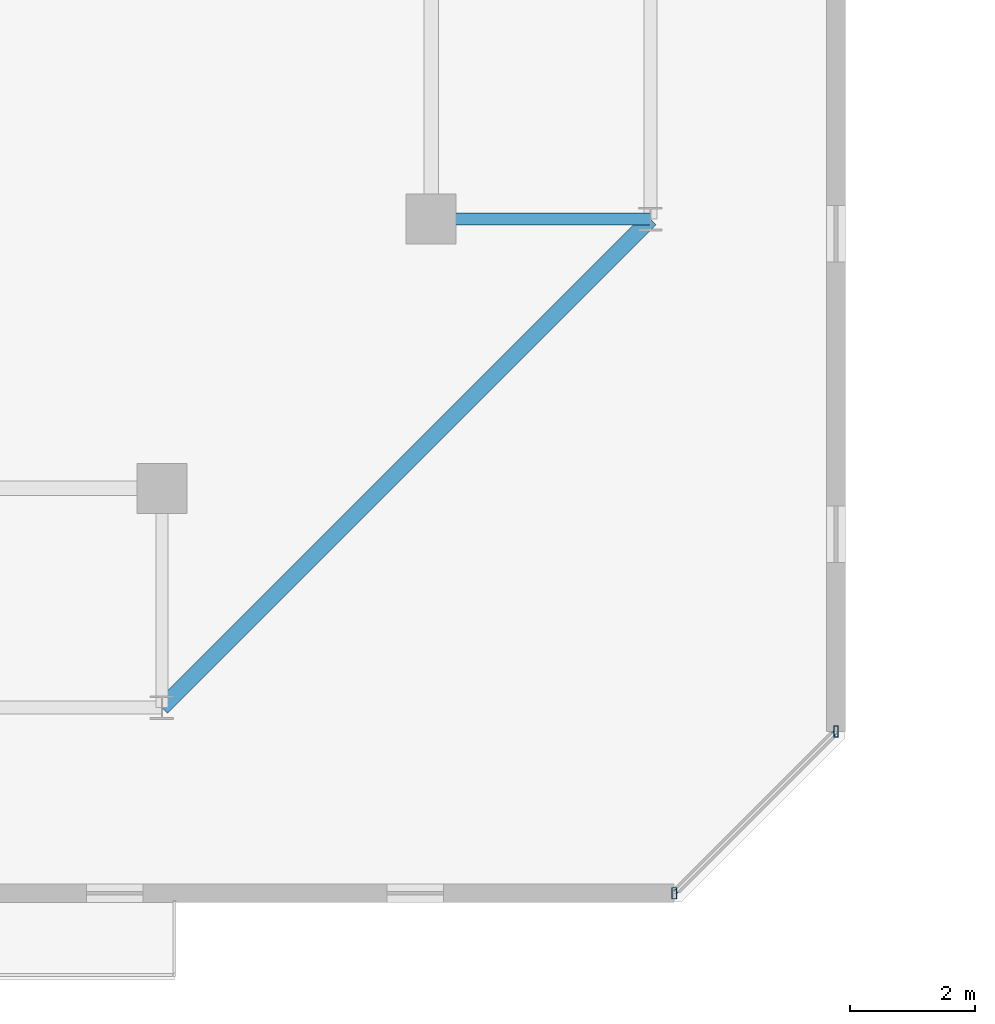
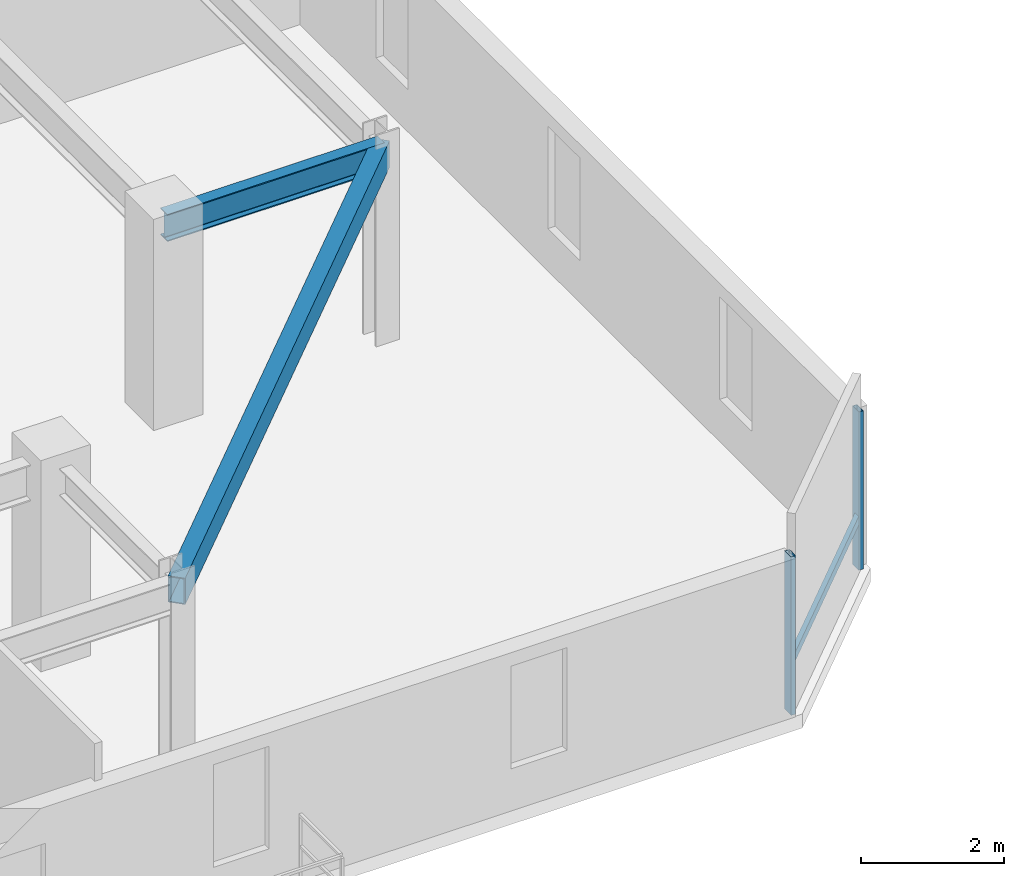
# One storey, part 7 of 35: 3 members, 2 beams, 1 element without a shape of its own.
"""IFC4 building model written with IfcOpenShell, lengths in metres."""

from ifc_helpers import new_model, si_unit, direction, frame, origin, origin_2d, place, context, subcontext, project, spatial, hollow_rectangle, i_section, extrude, material, material_profile, profile_set, type_object, element, aggregate, save


model = new_model("IFC4")

# Units and contexts
model_context = context("Model", 3, precision=1e-05, world=origin(), true_north=direction((0.0, 1.0)))
body_context = subcontext(model_context, "Body", "Model", "MODEL_VIEW")
ifc_project = project(units=[si_unit("LENGTHUNIT", "METRE"), si_unit("AREAUNIT", "SQUARE_METRE"), si_unit("VOLUMEUNIT", "CUBIC_METRE"), si_unit("PLANEANGLEUNIT", "RADIAN"), si_unit("MASSUNIT", "GRAM", prefix="KILO")], contexts=[model_context])

# Site, building, storey
site_placement = place(None, origin())
site = spatial("IfcSite", under=ifc_project, at=site_placement, CompositionType="ELEMENT")
building_placement = place(site_placement, origin())
building = spatial("IfcBuilding", under=site, at=building_placement, Name="Thornwick Lancets Civic Towers", CompositionType="ELEMENT")
storey_placement = place(building_placement, frame((0.0, 0.0, 272.699951171875)))
storey = spatial("IfcBuildingStorey", under=building, at=storey_placement, Name="L73", CompositionType="ELEMENT", Elevation=272.699951171875)

# Beams
ifc_material_1 = material(Name="Steel S355JR", Category="steel")
ifc_material_profile_1 = material_profile(ifc_material_1, i_section(OverallWidth=0.19189453125, OverallDepth=0.46337890625, WebThickness=0.010498046875, FlangeThickness=0.017578125, FilletRadius=0.01025390625, at=origin_2d()), Name="UKB 457x191x89")
ifc_profile_set_1 = profile_set([ifc_material_profile_1], Name="Steel S355JR")
beam_type_1 = type_object("IfcBeamType", Name="BM_JOIST_457_89", PredefinedType="JOIST", material=ifc_profile_set_1)
beam_1_placement = place(storey_placement, frame((42.800048828125, 14.0, 3.12841796875), z_axis=(1.0, 0.0, 0.0), x_axis=(0.0, 1.0, 0.0)))
element("IfcBeam", 1, at=beam_1_placement, inside=storey, type_object=beam_type_1, Name="BM-RAD-L73-A04", PredefinedType="JOIST", context=body_context, shape_type="SweptSolid", body=[
    extrude(i_section(OverallWidth=0.19189453125, OverallDepth=0.46337890625, WebThickness=0.010498046875, FlangeThickness=0.017578125, FilletRadius=0.01025390625, at=origin_2d()), origin(), (0.0, 0.0, 1.0), 3.5),
])
ifc_material_profile_2 = material_profile(ifc_material_1, hollow_rectangle(XDim=0.25, YDim=0.449951171875, WallThickness=0.01611328125, at=origin_2d()), Name="RHS 450x250x16")
ifc_profile_set_2 = profile_set([ifc_material_profile_2], Name="Steel S355JR")
beam_type_2 = type_object("IfcBeamType", Name="BM_RING_RHS450", PredefinedType="BEAM", material=ifc_profile_set_2)
beam_2_placement = place(storey_placement, frame((38.5, 6.199951171875, 3.135009765625), z_axis=(0.707106781187, 0.707106781187, 0.0), x_axis=(-0.707106781187, 0.707106781187, 0.0)))
element("IfcBeam", 2, at=beam_2_placement, inside=storey, type_object=beam_type_2, Name="BM-CHAMF-L73-A-C0", PredefinedType="BEAM", context=body_context, shape_type="SweptSolid", body=[
    extrude(hollow_rectangle(XDim=0.25, YDim=0.449951171875, WallThickness=0.01611328125, at=origin_2d()), origin(), (0.0, 0.0, 1.0), 11.031005859375),
])

# Curtain wall, members
ifc_material_2 = material(Name="High-zone chamfered-corner unitised glass curtain wall", Category="glass")
curtain_wall_type = type_object("IfcCurtainWallType", Name="CW_SYS_05", PredefinedType="NOTDEFINED", material=ifc_material_2)
curtain_wall_placement = place(storey_placement, origin())
curtain_wall = element("IfcCurtainWall", 3, at=curtain_wall_placement, inside=storey, type_object=curtain_wall_type, Name="L73 Curtain Wall CW-L73-A-E1", PredefinedType="NOTDEFINED")
ifc_material_3 = material(Name="Thermally broken bronze aluminium S355", Category="steel")
ifc_material_profile_3 = material_profile(ifc_material_3, hollow_rectangle(XDim=0.074951171875, YDim=0.179931640625, WallThickness=0.006103515625, at=origin_2d()), Name="RHS 180x75x6")
ifc_profile_set_3 = profile_set([ifc_material_profile_3], Name="Thermally broken bronze aluminium S355")
member_type_1 = type_object("IfcMemberType", Name="CW_MUL_180", PredefinedType="MULLION", material=ifc_profile_set_3)
member_1_placement = place(storey_placement, frame((46.681396484375, 3.2353515625, 0.0), z_axis=(0.0, 0.0, 1.0), x_axis=(1.0, 0.0, 0.0)))
member_1 = element("IfcMember", 4, at=member_1_placement, type_object=member_type_1, Name="CW-L73-A-E1 Mullion 0", PredefinedType="MULLION", context=body_context, shape_type="SweptSolid", body=[
    extrude(hollow_rectangle(XDim=0.074951171875, YDim=0.179931640625, WallThickness=0.006103515625, at=origin_2d()), origin(), (0.0, 0.0, 1.0), 2.699951171875),
])
member_2_placement = place(storey_placement, frame((49.2646484375, 5.818603515625, 0.0), z_axis=(0.0, 0.0, 1.0), x_axis=(1.0, 0.0, 0.0)))
member_2 = element("IfcMember", 5, at=member_2_placement, type_object=member_type_1, Name="CW-L73-A-E1 Mullion 1", PredefinedType="MULLION", context=body_context, shape_type="SweptSolid", body=[
    extrude(hollow_rectangle(XDim=0.074951171875, YDim=0.179931640625, WallThickness=0.006103515625, at=origin_2d()), origin(), (0.0, 0.0, 1.0), 2.699951171875),
])
ifc_material_profile_4 = material_profile(ifc_material_3, hollow_rectangle(XDim=0.074951171875, YDim=0.14990234375, WallThickness=0.0048828125, at=origin_2d()), Name="RHS 150x75x5")
ifc_profile_set_4 = profile_set([ifc_material_profile_4], Name="Thermally broken bronze aluminium S355")
member_type_2 = type_object("IfcMemberType", Name="CW_TRN_150", PredefinedType="USERDEFINED", material=ifc_profile_set_4)
member_3_placement = place(storey_placement, frame((46.695556640625, 3.24951171875, 0.85009765625), z_axis=(0.707106781187, 0.707106781187, 0.0), x_axis=(-0.707106781187, 0.707106781187, 0.0)))
member_3 = element("IfcMember", 6, at=member_3_placement, type_object=member_type_2, Name="CW-L73-A-E1 Transom 0", ObjectType="TRANSOM", PredefinedType="USERDEFINED", context=body_context, shape_type="SweptSolid", body=[
    extrude(hollow_rectangle(XDim=0.074951171875, YDim=0.14990234375, WallThickness=0.0048828125, at=origin_2d()), origin(), (0.0, 0.0, 1.0), 3.61328125),
])
aggregate(curtain_wall, [member_1, member_2, member_3])

save(model, "model.ifc")
